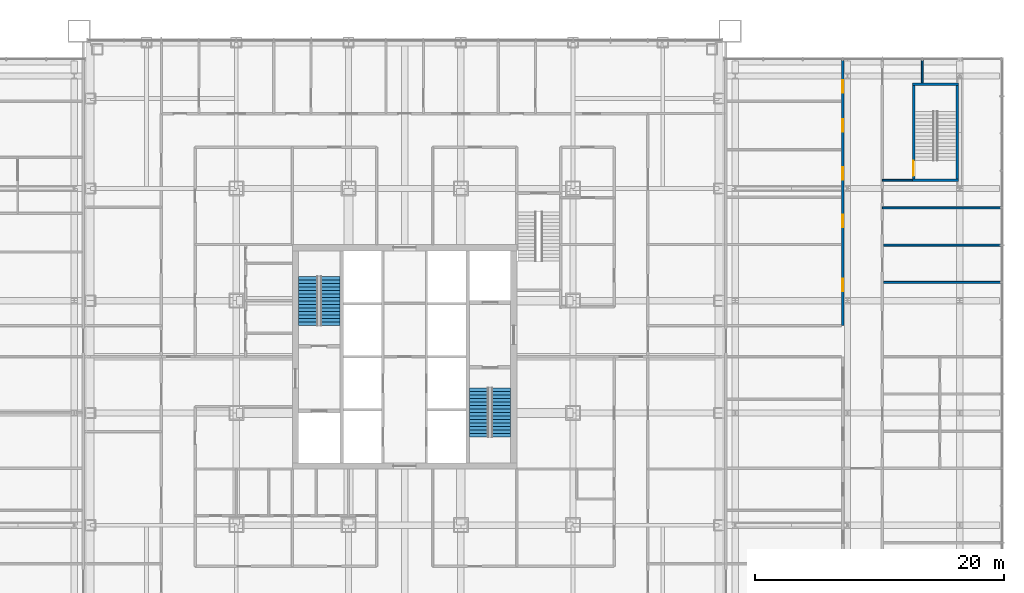
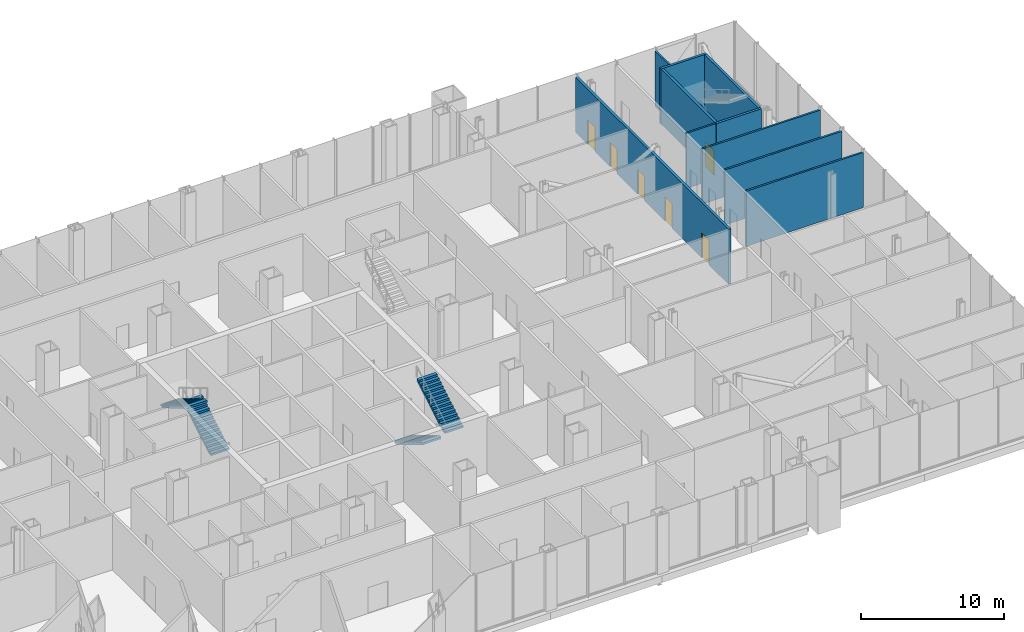
# One storey, part 19 of 25: 10 walls, 6 doors, 4 stair flights, 6 openings, 2 elements without a shape of their own.
"""IFC4 building model written with IfcOpenShell, lengths in metres."""

from ifc_helpers import new_model, si_unit, direction, frame, frame_2d, origin, place, context, subcontext, project, spatial, polyline, rectangle, outline, extrude, material, layer, layer_set, type_object, element, fill, aggregate, save


model = new_model("IFC4")

# Units and contexts
model_context = context("Model", 3, precision=1e-05, world=origin(), true_north=direction((0.0, 1.0)))
body_context = subcontext(model_context, "Body", "Model", "MODEL_VIEW")
ifc_project = project(units=[si_unit("LENGTHUNIT", "METRE"), si_unit("AREAUNIT", "SQUARE_METRE"), si_unit("VOLUMEUNIT", "CUBIC_METRE"), si_unit("PLANEANGLEUNIT", "RADIAN"), si_unit("MASSUNIT", "GRAM", prefix="KILO")], contexts=[model_context])

# Site, building, storey
site_placement = place(None, origin())
site = spatial("IfcSite", under=ifc_project, at=site_placement, CompositionType="ELEMENT")
building_placement = place(site_placement, origin())
building = spatial("IfcBuilding", under=site, at=building_placement, Name="Malebo Sky Hospital", CompositionType="ELEMENT")
storey_placement = place(building_placement, frame((0.0, 0.0, 6.0)))
storey = spatial("IfcBuildingStorey", under=building, at=storey_placement, Name="L01", CompositionType="ELEMENT", Elevation=6.0)

# Wall, openings, doors
ifc_material_1 = material(Name="Gypsum board on steel studs", Category="steel")
ifc_layer_1 = layer(ifc_material_1, 0.199951171875)
ifc_layer_set_1 = layer_set([ifc_layer_1], Name="CORRIDOR WALL 200")
wall_type_1 = type_object("IfcWallType", Name="CORRIDOR WALL 200", PredefinedType="PARTITIONING", material=ifc_layer_set_1)
wall_1_placement = place(storey_placement, frame((95.117919921875, 64.5, 0.0), z_axis=(0.0, 0.0, 1.0), x_axis=(0.0, 1.0, 0.0)))
wall_1 = element("IfcWall", 1, at=wall_1_placement, inside=storey, type_object=wall_type_1, Name="Corridor Wall 200 EWC2C", PredefinedType="PARTITIONING", context=body_context, shape_type="SweptSolid", body=[
    extrude(rectangle(XDim=21.35009765625, YDim=0.199951171875, at=frame_2d((10.675048828125, 0.0))), origin(), (0.0, 0.0, 1.0), 4.699951171875),
])
opening_1_placement = place(wall_1_placement, frame((2.75, 0.0, 0.0)))
opening_1 = element("IfcOpeningElement", 2, at=opening_1_placement, cuts=wall_1, Name="Opening D03", PredefinedType="OPENING", context=body_context, shape_type="SweptSolid", body=[
    extrude(rectangle(XDim=1.0, YDim=2.10009765625, at=frame_2d((0.5, 1.050048828125))), frame((0.0, 0.10986328125, 0.0), z_axis=(0.0, -1.0, 0.0), x_axis=(1.0, 0.0, 0.0)), (0.0, 0.0, 1.0), 0.219970703125),
])
opening_2_placement = place(wall_1_placement, frame((7.89990234375, 0.0, 0.0)))
opening_2 = element("IfcOpeningElement", 3, at=opening_2_placement, cuts=wall_1, Name="Opening D03", PredefinedType="OPENING", context=body_context, shape_type="SweptSolid", body=[
    extrude(rectangle(XDim=1.0, YDim=2.10009765625, at=frame_2d((0.5, 1.050048828125))), frame((0.0, 0.10986328125, 0.0), z_axis=(0.0, -1.0, 0.0), x_axis=(1.0, 0.0, 0.0)), (0.0, 0.0, 1.0), 0.219970703125),
])
opening_3_placement = place(wall_1_placement, frame((11.699951171875, 0.0, 0.0)))
opening_3 = element("IfcOpeningElement", 4, at=opening_3_placement, cuts=wall_1, Name="Opening D03", PredefinedType="OPENING", context=body_context, shape_type="SweptSolid", body=[
    extrude(rectangle(XDim=1.0, YDim=2.10009765625, at=frame_2d((0.5, 1.050048828125))), frame((0.0, 0.10986328125, 0.0), z_axis=(0.0, -1.0, 0.0), x_axis=(1.0, 0.0, 0.0)), (0.0, 0.0, 1.0), 0.219970703125),
])
opening_4_placement = place(wall_1_placement, frame((15.550048828125, 0.0, 0.0)))
opening_4 = element("IfcOpeningElement", 5, at=opening_4_placement, cuts=wall_1, Name="Opening D03", PredefinedType="OPENING", context=body_context, shape_type="SweptSolid", body=[
    extrude(rectangle(XDim=1.0, YDim=2.10009765625, at=frame_2d((0.5, 1.050048828125))), frame((0.0, 0.10986328125, 0.0), z_axis=(0.0, -1.0, 0.0), x_axis=(1.0, 0.0, 0.0)), (0.0, 0.0, 1.0), 0.219970703125),
])
opening_5_placement = place(wall_1_placement, frame((18.675048828125, 0.0, 0.0)))
opening_5 = element("IfcOpeningElement", 6, at=opening_5_placement, cuts=wall_1, Name="Opening D03", PredefinedType="OPENING", context=body_context, shape_type="SweptSolid", body=[
    extrude(rectangle(XDim=1.0, YDim=2.10009765625, at=frame_2d((0.5, 1.050048828125))), frame((0.0, 0.10986328125, 0.0), z_axis=(0.0, -1.0, 0.0), x_axis=(1.0, 0.0, 0.0)), (0.0, 0.0, 1.0), 0.219970703125),
])
ifc_material_2 = material(Name="Hardwood-faced door leaf in steel frame", Category="steel")
door_type_1 = type_object("IfcDoorType", Name="ROOM DOOR 1000", OperationType="SINGLE_SWING_LEFT", PredefinedType="DOOR", material=ifc_material_2)
door_1_placement = place(opening_1_placement, origin())
door_1 = element("IfcDoor", 7, at=door_1_placement, inside=storey, type_object=door_type_1, Name="Ophthalmology room door", OperationType="SINGLE_SWING_LEFT", OverallHeight=2.10009765625, OverallWidth=1.0, PredefinedType="DOOR", context=body_context, shape_type="SweptSolid", body=[
    extrude(rectangle(XDim=1.0, YDim=2.10009765625, at=frame_2d((0.5, 1.050048828125))), frame((0.0, 0.02490234375, 0.0), z_axis=(0.0, -1.0, 0.0), x_axis=(1.0, 0.0, 0.0)), (0.0, 0.0, 1.0), 0.050048828125),
])
fill(opening_1, door_1)
door_2_placement = place(opening_2_placement, origin())
door_2 = element("IfcDoor", 8, at=door_2_placement, inside=storey, type_object=door_type_1, Name="Orthoptics room door", OperationType="SINGLE_SWING_LEFT", OverallHeight=2.10009765625, OverallWidth=1.0, PredefinedType="DOOR", context=body_context, shape_type="SweptSolid", body=[
    extrude(rectangle(XDim=1.0, YDim=2.10009765625, at=frame_2d((0.5, 1.050048828125))), frame((0.0, 0.02490234375, 0.0), z_axis=(0.0, -1.0, 0.0), x_axis=(1.0, 0.0, 0.0)), (0.0, 0.0, 1.0), 0.050048828125),
])
fill(opening_2, door_2)
door_3_placement = place(opening_3_placement, origin())
door_3 = element("IfcDoor", 9, at=door_3_placement, inside=storey, type_object=door_type_1, Name="Interview room door", OperationType="SINGLE_SWING_LEFT", OverallHeight=2.10009765625, OverallWidth=1.0, PredefinedType="DOOR", context=body_context, shape_type="SweptSolid", body=[
    extrude(rectangle(XDim=1.0, YDim=2.10009765625, at=frame_2d((0.5, 1.050048828125))), frame((0.0, 0.02490234375, 0.0), z_axis=(0.0, -1.0, 0.0), x_axis=(1.0, 0.0, 0.0)), (0.0, 0.0, 1.0), 0.050048828125),
])
fill(opening_3, door_3)
door_4_placement = place(opening_4_placement, origin())
door_4 = element("IfcDoor", 10, at=door_4_placement, inside=storey, type_object=door_type_1, Name="Clinic store door", OperationType="SINGLE_SWING_LEFT", OverallHeight=2.10009765625, OverallWidth=1.0, PredefinedType="DOOR", context=body_context, shape_type="SweptSolid", body=[
    extrude(rectangle(XDim=1.0, YDim=2.10009765625, at=frame_2d((0.5, 1.050048828125))), frame((0.0, 0.02490234375, 0.0), z_axis=(0.0, -1.0, 0.0), x_axis=(1.0, 0.0, 0.0)), (0.0, 0.0, 1.0), 0.050048828125),
])
fill(opening_4, door_4)
door_5_placement = place(opening_5_placement, origin())
door_5 = element("IfcDoor", 11, at=door_5_placement, inside=storey, type_object=door_type_1, Name="Staff rest room door", OperationType="SINGLE_SWING_LEFT", OverallHeight=2.10009765625, OverallWidth=1.0, PredefinedType="DOOR", context=body_context, shape_type="SweptSolid", body=[
    extrude(rectangle(XDim=1.0, YDim=2.10009765625, at=frame_2d((0.5, 1.050048828125))), frame((0.0, 0.02490234375, 0.0), z_axis=(0.0, -1.0, 0.0), x_axis=(1.0, 0.0, 0.0)), (0.0, 0.0, 1.0), 0.050048828125),
])
fill(opening_5, door_5)

# Walls
ifc_layer_2 = layer(ifc_material_1, 0.14990234375)
ifc_layer_set_2 = layer_set([ifc_layer_2], Name="PARTITION 150")
wall_type_2 = type_object("IfcWallType", Name="PARTITION 150", PredefinedType="PARTITIONING", material=ifc_layer_set_2)
wall_2_placement = place(storey_placement, frame((100.699951171875, 76.14990234375, 0.0), z_axis=(0.0, 0.0, 1.0), x_axis=(-1.0, 0.0, 0.0)))
element("IfcWall", 12, at=wall_2_placement, inside=storey, type_object=wall_type_2, Name="Partition 150 ELS", PredefinedType="PARTITIONING", context=body_context, shape_type="SweptSolid", body=[
    extrude(rectangle(XDim=2.39306640625, YDim=0.14990234375, at=frame_2d((1.196533203125, 0.0))), origin(), (0.0, 0.0, 1.0), 4.699951171875),
])
wall_3_placement = place(storey_placement, frame((101.49609375, 83.949951171875, 0.0), z_axis=(0.0, 0.0, 1.0), x_axis=(0.0, 1.0, 0.0)))
element("IfcWall", 13, at=wall_3_placement, inside=storey, type_object=wall_type_2, Name="Partition 150 ELW", PredefinedType="PARTITIONING", context=body_context, shape_type="SweptSolid", body=[
    extrude(rectangle(XDim=1.900146484375, YDim=0.14990234375, at=frame_2d((0.9501953125, 0.0))), origin(), (0.0, 0.0, 1.0), 4.699951171875),
])
wall_4_placement = place(storey_placement, frame((107.85009765625, 73.9375, 0.0), z_axis=(0.0, 0.0, 1.0), x_axis=(-1.0, 0.0, 0.0)))
element("IfcWall", 14, at=wall_4_placement, inside=storey, type_object=wall_type_2, Name="Partition 150 ESP", PredefinedType="PARTITIONING", context=body_context, shape_type="SweptSolid", body=[
    extrude(rectangle(XDim=9.543212890625, YDim=0.14990234375, at=frame_2d((4.771484375, 0.0))), origin(), (0.0, 0.0, 1.0), 4.699951171875),
])
for number, where, z_axis, x_axis, name in (
    (15, (107.85009765625, 67.96875, 0.0), (0.0, 0.0, 1.0), (-1.0, 0.0, 0.0), "Partition 150 EOH07"),
    (16, (107.85009765625, 70.953125, 0.0), (0.0, 0.0, 1.0), (-1.0, 0.0, 0.0), "Partition 150 EOH08"),
):
    element("IfcWall", number, at=place(storey_placement, frame(where, z_axis=z_axis, x_axis=x_axis)), inside=storey, type_object=wall_type_2, Name=name, PredefinedType="PARTITIONING", context=body_context, shape_type="SweptSolid", body=[
        extrude(rectangle(XDim=9.443115234375, YDim=0.14990234375, at=frame_2d((4.7216796875, 0.0))), origin(), (0.0, 0.0, 1.0), 4.699951171875),
    ])
ifc_material_3 = material(Name="Concrete C40/50", Category="concrete")
ifc_layer_3 = layer(ifc_material_3, 0.199951171875)
ifc_layer_set_3 = layer_set([ifc_layer_3], Name="STAIR ENCLOSURE WALL 200")
wall_type_3 = type_object("IfcWallType", Name="STAIR ENCLOSURE WALL 200", PredefinedType="SOLIDWALL", material=ifc_layer_set_3)
for number, where, z_axis, x_axis, name in (
    (17, (100.699951171875, 76.14990234375, 0.0), (0.0, 0.0, 1.0), (1.0, 0.0, 0.0), "Stair Enclosure Wall 200 ESS"),
    (18, (100.699951171875, 83.85009765625, 0.0), (0.0, 0.0, 1.0), (1.0, 0.0, 0.0), "Stair Enclosure Wall 200 ESN"),
):
    element("IfcWall", number, at=place(storey_placement, frame(where, z_axis=z_axis, x_axis=x_axis)), inside=storey, type_object=wall_type_3, Name=name, PredefinedType="SOLIDWALL", context=body_context, shape_type="SweptSolid", body=[
        extrude(rectangle(XDim=3.699951171875, YDim=0.199951171875, at=frame_2d((1.85009765625, 0.0))), origin(), (0.0, 0.0, 1.0), 4.699951171875),
    ])

# Wall, opening, door
wall_5_placement = place(storey_placement, frame((100.800048828125, 76.25, 0.0), z_axis=(0.0, 0.0, 1.0), x_axis=(0.0, 1.0, 0.0)))
wall_5 = element("IfcWall", 19, at=wall_5_placement, inside=storey, type_object=wall_type_3, Name="Stair Enclosure Wall 200 ESW", PredefinedType="SOLIDWALL", context=body_context, shape_type="SweptSolid", body=[
    extrude(rectangle(XDim=7.5, YDim=0.199951171875, at=frame_2d((3.75, 0.0))), origin(), (0.0, 0.0, 1.0), 4.699951171875),
])
opening_6_placement = place(wall_5_placement, frame((0.25, 0.0, 0.0)))
opening_6 = element("IfcOpeningElement", 20, at=opening_6_placement, cuts=wall_5, Name="Opening D08", PredefinedType="OPENING", context=body_context, shape_type="SweptSolid", body=[
    extrude(rectangle(XDim=1.199951171875, YDim=2.10009765625, at=frame_2d((0.60009765625, 1.050048828125))), frame((0.0, 0.10986328125, 0.0), z_axis=(0.0, -1.0, 0.0), x_axis=(1.0, 0.0, 0.0)), (0.0, 0.0, 1.0), 0.219970703125),
])
door_type_2 = type_object("IfcDoorType", Name="STAIR DOOR 1200", OperationType="SINGLE_SWING_LEFT", PredefinedType="DOOR", material=ifc_material_2)
door_6_placement = place(opening_6_placement, origin())
door_6 = element("IfcDoor", 21, at=door_6_placement, inside=storey, type_object=door_type_2, Name="Stair ES door", OperationType="SINGLE_SWING_LEFT", OverallHeight=2.10009765625, OverallWidth=1.199951171875, PredefinedType="DOOR", context=body_context, shape_type="SweptSolid", body=[
    extrude(rectangle(XDim=1.199951171875, YDim=2.10009765625, at=frame_2d((0.60009765625, 1.050048828125))), frame((0.0, 0.02490234375, 0.0), z_axis=(0.0, -1.0, 0.0), x_axis=(1.0, 0.0, 0.0)), (0.0, 0.0, 1.0), 0.050048828125),
])
fill(opening_6, door_6)

# Wall
wall_6_placement = place(storey_placement, frame((104.300048828125, 76.25, 0.0), z_axis=(0.0, 0.0, 1.0), x_axis=(0.0, 1.0, 0.0)))
element("IfcWall", 22, at=wall_6_placement, inside=storey, type_object=wall_type_3, Name="Stair Enclosure Wall 200 ESE", PredefinedType="SOLIDWALL", context=body_context, shape_type="SweptSolid", body=[
    extrude(rectangle(XDim=7.5, YDim=0.199951171875, at=frame_2d((3.75, 0.0))), origin(), (0.0, 0.0, 1.0), 4.699951171875),
])

# Stair, stair flights
stair_type = type_object("IfcStairType", Name="HALF-TURN STAIR 1500 R167", PredefinedType="HALF_TURN_STAIR", material=ifc_material_3)
stair_1_placement = place(storey_placement, origin())
stair_1 = element("IfcStair", 23, at=stair_1_placement, inside=storey, type_object=stair_type, Name="Stair S1 L01 type ST1", PredefinedType="HALF_TURN_STAIR")
stair_flight_type = type_object("IfcStairFlightType", Name="STAIR FLIGHT 1500 R167", PredefinedType="STRAIGHT", material=ifc_material_3)
stair_flight_1_placement = place(storey_placement, frame((54.050048828125, 64.5, 0.0), z_axis=(0.0, 0.0, 1.0), x_axis=(0.0, 1.0, 0.0)))
stair_flight_1 = element("IfcStairFlight", 24, at=stair_flight_1_placement, type_object=stair_flight_type, Name="S1 flight 1 type SF1", NumberOfRisers=15, NumberOfTreads=14, PredefinedType="STRAIGHT", RiserHeight=0.166666667, TreadLength=0.28, context=body_context, shape_type="SweptSolid", body=[
    extrude(outline(polyline([(0.0, 0.0), (0.0, 0.166748046875), (0.280029296875, 0.166748046875), (0.280029296875, 0.333251953125), (0.56005859375, 0.333251953125), (0.56005859375, 0.5), (0.840087890625, 0.5), (0.840087890625, 0.666748046875), (1.1201171875, 0.666748046875), (1.1201171875, 0.833251953125), (1.39990234375, 0.833251953125), (1.39990234375, 1.0), (1.679931640625, 1.0), (1.679931640625, 1.166748046875), (1.9599609375, 1.166748046875), (1.9599609375, 1.333251953125), (2.239990234375, 1.333251953125), (2.239990234375, 1.5), (2.52001953125, 1.5), (2.52001953125, 1.666748046875), (2.800048828125, 1.666748046875), (2.800048828125, 1.833251953125), (3.080078125, 1.833251953125), (3.080078125, 2.0), (3.360107421875, 2.0), (3.360107421875, 2.166748046875), (3.639892578125, 2.166748046875), (3.639892578125, 2.333251953125), (3.919921875, 2.333251953125), (3.919921875, 2.5), (3.919921875, 2.158935546875), (0.29296875, 0.0), (0.0, 0.0)])), frame((0.0, 0.75, 0.0), z_axis=(0.0, -1.0, 0.0), x_axis=(1.0, 0.0, 0.0)), (0.0, 0.0, 1.0), 1.5),
])
stair_flight_2_placement = place(storey_placement, frame((52.25, 68.419921875, 2.5), z_axis=(0.0, 0.0, 1.0), x_axis=(0.0, -1.0, 0.0)))
stair_flight_2 = element("IfcStairFlight", 25, at=stair_flight_2_placement, type_object=stair_flight_type, Name="S1 flight 2 type SF1", NumberOfRisers=15, NumberOfTreads=14, PredefinedType="STRAIGHT", RiserHeight=0.166666667, TreadLength=0.28, context=body_context, shape_type="SweptSolid", body=[
    extrude(outline(polyline([(0.0, 0.0), (0.0, 0.166748046875), (0.280029296875, 0.166748046875), (0.280029296875, 0.333251953125), (0.56005859375, 0.333251953125), (0.56005859375, 0.5), (0.840087890625, 0.5), (0.840087890625, 0.666748046875), (1.1201171875, 0.666748046875), (1.1201171875, 0.833251953125), (1.39990234375, 0.833251953125), (1.39990234375, 1.0), (1.679931640625, 1.0), (1.679931640625, 1.166748046875), (1.9599609375, 1.166748046875), (1.9599609375, 1.333251953125), (2.239990234375, 1.333251953125), (2.239990234375, 1.5), (2.52001953125, 1.5), (2.52001953125, 1.666748046875), (2.800048828125, 1.666748046875), (2.800048828125, 1.833251953125), (3.080078125, 1.833251953125), (3.080078125, 2.0), (3.360107421875, 2.0), (3.360107421875, 2.166748046875), (3.639892578125, 2.166748046875), (3.639892578125, 2.333251953125), (3.919921875, 2.333251953125), (3.919921875, 2.5), (3.919921875, 2.158935546875), (0.29296875, 0.0), (0.0, 0.0)])), frame((0.0, 0.75, 0.0), z_axis=(0.0, -1.0, 0.0), x_axis=(1.0, 0.0, 0.0)), (0.0, 0.0, 1.0), 1.5),
])
aggregate(stair_1, [stair_flight_1, stair_flight_2])

stair_2_placement = place(storey_placement, origin())
stair_2 = element("IfcStair", 26, at=stair_2_placement, inside=storey, type_object=stair_type, Name="Stair S2 L01 type ST1", PredefinedType="HALF_TURN_STAIR")
stair_flight_3_placement = place(storey_placement, frame((65.949951171875, 59.5, 0.0), z_axis=(0.0, 0.0, 1.0), x_axis=(0.0, -1.0, 0.0)))
stair_flight_3 = element("IfcStairFlight", 27, at=stair_flight_3_placement, type_object=stair_flight_type, Name="S2 flight 1 type SF1", NumberOfRisers=15, NumberOfTreads=14, PredefinedType="STRAIGHT", RiserHeight=0.166666667, TreadLength=0.28, context=body_context, shape_type="SweptSolid", body=[
    extrude(outline(polyline([(0.0, 0.0), (0.0, 0.166748046875), (0.280029296875, 0.166748046875), (0.280029296875, 0.333251953125), (0.56005859375, 0.333251953125), (0.56005859375, 0.5), (0.840087890625, 0.5), (0.840087890625, 0.666748046875), (1.1201171875, 0.666748046875), (1.1201171875, 0.833251953125), (1.39990234375, 0.833251953125), (1.39990234375, 1.0), (1.679931640625, 1.0), (1.679931640625, 1.166748046875), (1.9599609375, 1.166748046875), (1.9599609375, 1.333251953125), (2.239990234375, 1.333251953125), (2.239990234375, 1.5), (2.52001953125, 1.5), (2.52001953125, 1.666748046875), (2.800048828125, 1.666748046875), (2.800048828125, 1.833251953125), (3.080078125, 1.833251953125), (3.080078125, 2.0), (3.360107421875, 2.0), (3.360107421875, 2.166748046875), (3.639892578125, 2.166748046875), (3.639892578125, 2.333251953125), (3.919921875, 2.333251953125), (3.919921875, 2.5), (3.919921875, 2.158935546875), (0.29296875, 0.0), (0.0, 0.0)])), frame((0.0, 0.75, 0.0), z_axis=(0.0, -1.0, 0.0), x_axis=(1.0, 0.0, 0.0)), (0.0, 0.0, 1.0), 1.5),
])
stair_flight_4_placement = place(storey_placement, frame((67.75, 55.580078125, 2.5), z_axis=(0.0, 0.0, 1.0), x_axis=(0.0, 1.0, 0.0)))
stair_flight_4 = element("IfcStairFlight", 28, at=stair_flight_4_placement, type_object=stair_flight_type, Name="S2 flight 2 type SF1", NumberOfRisers=15, NumberOfTreads=14, PredefinedType="STRAIGHT", RiserHeight=0.166666667, TreadLength=0.28, context=body_context, shape_type="SweptSolid", body=[
    extrude(outline(polyline([(0.0, 0.0), (0.0, 0.166748046875), (0.280029296875, 0.166748046875), (0.280029296875, 0.333251953125), (0.56005859375, 0.333251953125), (0.56005859375, 0.5), (0.840087890625, 0.5), (0.840087890625, 0.666748046875), (1.1201171875, 0.666748046875), (1.1201171875, 0.833251953125), (1.39990234375, 0.833251953125), (1.39990234375, 1.0), (1.679931640625, 1.0), (1.679931640625, 1.166748046875), (1.9599609375, 1.166748046875), (1.9599609375, 1.333251953125), (2.239990234375, 1.333251953125), (2.239990234375, 1.5), (2.52001953125, 1.5), (2.52001953125, 1.666748046875), (2.800048828125, 1.666748046875), (2.800048828125, 1.833251953125), (3.080078125, 1.833251953125), (3.080078125, 2.0), (3.360107421875, 2.0), (3.360107421875, 2.166748046875), (3.639892578125, 2.166748046875), (3.639892578125, 2.333251953125), (3.919921875, 2.333251953125), (3.919921875, 2.5), (3.919921875, 2.158935546875), (0.29296875, 0.0), (0.0, 0.0)])), frame((0.0, 0.75, 0.0), z_axis=(0.0, -1.0, 0.0), x_axis=(1.0, 0.0, 0.0)), (0.0, 0.0, 1.0), 1.5),
])
aggregate(stair_2, [stair_flight_3, stair_flight_4])

save(model, "model.ifc")
